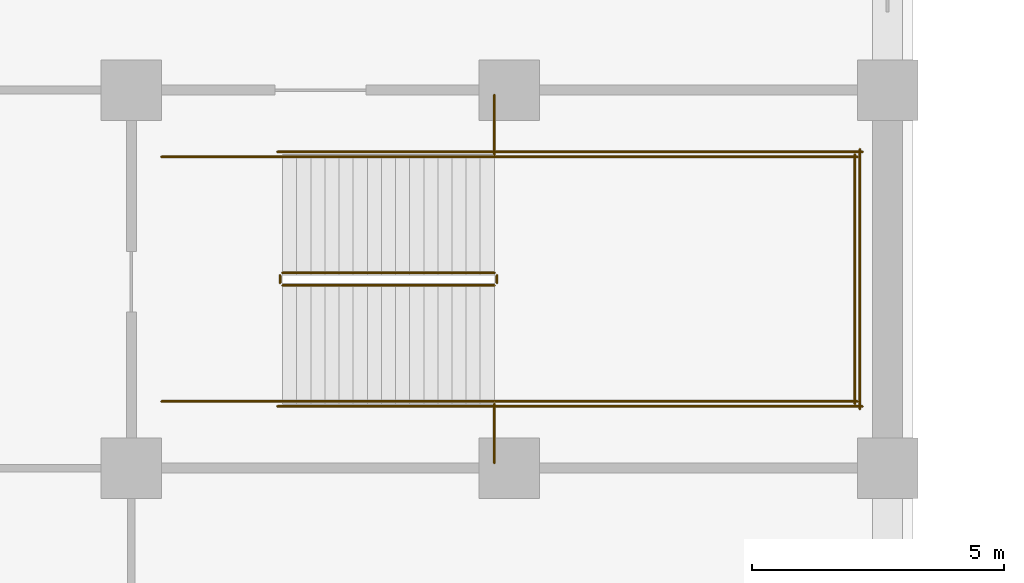
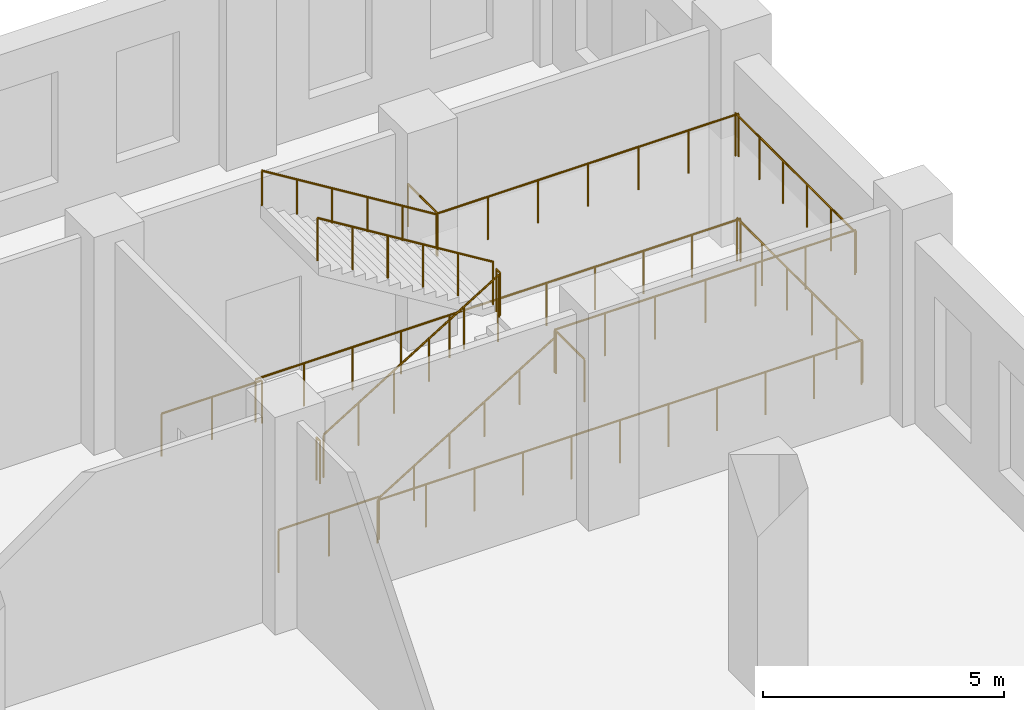
# One storey, part 29 of 35: 16 railings.
"""IFC4 building model written with IfcOpenShell, lengths in metres."""

import ifcopenshell
import ifcopenshell.guid

model = None  # the IFC model being written
_history = None  # IfcOwnerHistory: only IFC2X3 demands one
_inside = {}  # id of a spatial element -> (the spatial element, [elements in it])
_under = {}  # id of a project, library or spatial element -> (it, [spatial elements below it])
_declared = {}  # id of a project -> (the project, [libraries it declares])
_typed = {}  # id of a type object -> (the type object, [elements of that type])
_made_of = {}  # id of a material, layer set ... -> (it, [elements and type objects made of it])


def new_model(schema):
    """Start an empty IFC model of exactly this schema.

    Asked for "IFC4X3", IfcOpenShell would pick the latest addendum, in which some entities
    have other attributes; the version numbers below select the first issue.
    IFC2X3 requires an IfcOwnerHistory on every rooted entity: one is made here for all.
    """
    global model, _history
    if schema == "IFC4X3":
        model = ifcopenshell.file(schema_version=(4, 3, 0, 0))
    else:
        model = ifcopenshell.file(schema=schema)
    _inside.clear()
    _under.clear()
    _declared.clear()
    _typed.clear()
    _made_of.clear()
    _history = None
    if model.schema == "IFC2X3":
        org = make("IfcOrganization", Name="unknown")
        user = make(
            "IfcPersonAndOrganization",
            ThePerson=make("IfcPerson", FamilyName="unknown"),
            TheOrganization=org,
        )
        app = make(
            "IfcApplication",
            ApplicationDeveloper=org,
            Version="unknown",
            ApplicationFullName="unknown",
            ApplicationIdentifier="unknown",
        )
        _history = make(
            "IfcOwnerHistory",
            OwningUser=user,
            OwningApplication=app,
            ChangeAction="ADDED",
            CreationDate=0,
        )
    return model


def make(cls, **values):
    """One entity of the class cls with the attributes given. An attribute that is None is left unset."""
    return model.create_entity(
        cls, **{name: value for name, value in values.items() if value is not None}
    )


def rooted(cls, **values):
    """An entity with a GlobalId (a new one), such as an element, a storey or a relation."""
    return make(cls, GlobalId=ifcopenshell.guid.new(), OwnerHistory=_history, **values)


def si_unit(unit_type, name, prefix=None):
    """IfcSIUnit, for example si_unit("LENGTHUNIT", "METRE", prefix="MILLI")."""
    return make("IfcSIUnit", UnitType=unit_type, Prefix=prefix, Name=name)


def assignment(units):
    """IfcUnitAssignment: the units of a project."""
    return None if units is None else make("IfcUnitAssignment", Units=units)


def point(xyz):
    """IfcCartesianPoint."""
    return None if xyz is None else make("IfcCartesianPoint", Coordinates=xyz)


def direction(xyz):
    """IfcDirection."""
    return None if xyz is None else make("IfcDirection", DirectionRatios=xyz)


def frame(location, z_axis=None, x_axis=None):
    """IfcAxis2Placement3D, a coordinate frame: its origin and axes. An axis left out is left unset."""
    return make(
        "IfcAxis2Placement3D",
        Location=point(location),
        Axis=direction(z_axis),
        RefDirection=direction(x_axis),
    )


def frame_2d(location, x_axis=None):
    """IfcAxis2Placement2D, a coordinate frame in the plane: its origin and x axis."""
    return make(
        "IfcAxis2Placement2D", Location=point(location), RefDirection=direction(x_axis)
    )


def origin():
    """The frame at (0, 0, 0) with its axes left unset."""
    return frame((0.0, 0.0, 0.0))


def origin_2d():
    """The frame at (0, 0) in the plane with its x axis left unset."""
    return frame_2d((0.0, 0.0))


def place(relative_to, where):
    """IfcLocalPlacement: puts the frame where relative to a parent placement (None: the world)."""
    return make(
        "IfcLocalPlacement", PlacementRelTo=relative_to, RelativePlacement=where
    )


def context(
    kind, dimensions, precision=None, world=None, true_north=None, identifier=None
):
    """IfcGeometricRepresentationContext, for example the 3D "Model" context."""
    return make(
        "IfcGeometricRepresentationContext",
        ContextIdentifier=identifier,
        ContextType=kind,
        CoordinateSpaceDimension=dimensions,
        Precision=precision,
        WorldCoordinateSystem=world,
        TrueNorth=true_north,
    )


def subcontext(parent, identifier, kind, view, scale=None):
    """IfcGeometricRepresentationSubContext, for example "Body" below "Model"."""
    return make(
        "IfcGeometricRepresentationSubContext",
        ContextIdentifier=identifier,
        ContextType=kind,
        ParentContext=parent,
        TargetScale=scale,
        TargetView=view,
    )


def project(units=None, contexts=None):
    """IfcProject with its units and contexts."""
    return rooted(
        "IfcProject",
        Name="project",
        RepresentationContexts=contexts,
        UnitsInContext=assignment(units),
    )


def spatial(cls, under=None, at=None, **own):
    """A site, building, storey or space (cls), placed at a placement, below another one or the project."""
    s = rooted(cls, ObjectPlacement=at, **own)
    if under is not None:
        _under.setdefault(under.id(), (under, []))[1].append(s)
    return s


def profile(cls, at=None, kind="AREA", **sizes):
    """A parametric profile (cls). Its sizes go by their IFC names, for example OverallWidth=200.0."""
    return make(cls, ProfileType=kind, Position=at, **sizes)


def circle(**sizes):
    """IfcCircleProfileDef."""
    return profile("IfcCircleProfileDef", **sizes)


def extrude(swept, where, along, depth):
    """IfcExtrudedAreaSolid: the profile swept, set in the frame where, extruded along a direction by depth."""
    return make(
        "IfcExtrudedAreaSolid",
        SweptArea=swept,
        Position=where,
        ExtrudedDirection=direction(along),
        Depth=depth,
    )


def shape(context_of_items, identifier, shape_type, items):
    """IfcShapeRepresentation: the items that make up one representation, for example the "Body"."""
    return make(
        "IfcShapeRepresentation",
        ContextOfItems=context_of_items,
        RepresentationIdentifier=identifier,
        RepresentationType=shape_type,
        Items=items,
    )


def material(Name=None, Category=None):
    """IfcMaterial."""
    return make("IfcMaterial", Name=Name, Category=Category)


def made_of(thing, what):
    """Note that an element or type object is made of a material, layer set ...; save() writes the relation."""
    if what is not None:
        _made_of.setdefault(what.id(), (what, []))[1].append(thing)
    return thing


def type_object(cls, material=None, **own):
    """A type object (cls), such as IfcWallType, which elements share."""
    return made_of(rooted(cls, **own), material)


def element(
    cls,
    number,
    at=None,
    inside=None,
    cuts=None,
    type_object=None,
    material=None,
    context=None,
    identifier="Body",
    shape_type=None,
    held_by="IfcProductDefinitionShape",
    body=None,
    shapes=None,
    **own,
):
    """One element of the class cls, such as IfcWall. Its Tag is "e" and its number.

    at: its placement. inside: the storey or other place that contains it. cuts: it is an
    opening in that element (IfcRelVoidsElement). A single representation is given by context,
    identifier, shape_type and body (its items); several are given by shapes. held_by: the class
    of the entity that holds the representations. save() writes the other relations.
    """
    e = rooted(cls, Tag="e%d" % number, ObjectPlacement=at, **own)
    if body is not None:
        shapes = [shape(context, identifier, shape_type, body)]
    if shapes is not None:
        e.Representation = make(held_by, Representations=shapes)
    if inside is not None:
        _inside.setdefault(inside.id(), (inside, []))[1].append(e)
    if cuts is not None:
        rooted(
            "IfcRelVoidsElement", RelatingBuildingElement=cuts, RelatedOpeningElement=e
        )
    if type_object is not None:
        _typed.setdefault(type_object.id(), (type_object, []))[1].append(e)
    return made_of(e, material)


def aggregate(whole, parts):
    """IfcRelAggregates: a whole, such as a stair, and the parts it consists of."""
    return rooted("IfcRelAggregates", RelatingObject=whole, RelatedObjects=parts)


def save(model, path):
    """Write the relations noted so far, then the file.

    IfcRelAggregates (storeys below a building ...), IfcRelContainedInSpatialStructure (elements
    in a storey), IfcRelDefinesByType, IfcRelAssociatesMaterial and IfcRelDeclares: one each for
    every whole, place, type object, material and project.
    """
    for whole, parts in _under.values():
        aggregate(whole, parts)
    for where, things in _inside.values():
        rooted(
            "IfcRelContainedInSpatialStructure",
            RelatedElements=things,
            RelatingStructure=where,
        )
    for kind, things in _typed.values():
        rooted("IfcRelDefinesByType", RelatedObjects=things, RelatingType=kind)
    for what, things in _made_of.values():
        rooted("IfcRelAssociatesMaterial", RelatedObjects=things, RelatingMaterial=what)
    for by, libraries in _declared.values():
        rooted("IfcRelDeclares", RelatingContext=by, RelatedDefinitions=libraries)
    model.write(path)


model = new_model("IFC4")

# Units and contexts
model_context = context("Model", 3, precision=1e-05, world=origin(), true_north=direction((0.0, 1.0)))
body_context = subcontext(model_context, "Body", "Model", "MODEL_VIEW")
ifc_project = project(units=[si_unit("LENGTHUNIT", "METRE"), si_unit("AREAUNIT", "SQUARE_METRE"), si_unit("VOLUMEUNIT", "CUBIC_METRE"), si_unit("PLANEANGLEUNIT", "RADIAN"), si_unit("MASSUNIT", "GRAM", prefix="KILO")], contexts=[model_context])

# Site, building, storey
site_placement = place(None, origin())
site = spatial("IfcSite", under=ifc_project, at=site_placement, CompositionType="ELEMENT")
building_placement = place(site_placement, origin())
building = spatial("IfcBuilding", under=site, at=building_placement, Name="Tamorin Gate", CompositionType="ELEMENT")
storey_placement = place(building_placement, frame((0.0, 0.0, 8.0)))
storey = spatial("IfcBuildingStorey", under=building, at=storey_placement, Name="L01", CompositionType="ELEMENT", Elevation=8.0)

# Railings
ifc_material = material(Name="Steel", Category="steel")
railing_type_1 = type_object("IfcRailingType", Name="Podium guard 1100", PredefinedType="GUARDRAIL", material=ifc_material)
railing_1_placement = place(storey_placement, frame((100.0, 100.625, 0.171875)))
element("IfcRailing", 1, at=railing_1_placement, inside=storey, type_object=railing_type_1, Name="L01 PS4 stair guard 1", PredefinedType="GUARDRAIL", context=body_context, shape_type="SweptSolid", body=[
    extrude(circle(Radius=0.02392578125, at=origin_2d()), frame((0.0, 0.0, 1.076171875), z_axis=(0.852242915053, 0.0, 0.523146264196), x_axis=(0.0, 1.0, 0.0)), (0.0, 0.0, 1.0), 4.92822265625),
    extrude(circle(Radius=0.02099609375, at=origin_2d()), origin(), (0.0, 0.0, 1.0), 1.052001953125),
    extrude(circle(Radius=0.02099609375, at=origin_2d()), frame((0.840087890625, 0.0, 0.515625)), (0.0, 0.0, 1.0), 1.052001953125),
    extrude(circle(Radius=0.02099609375, at=origin_2d()), frame((1.679931640625, 0.0, 1.03125)), (0.0, 0.0, 1.0), 1.052001953125),
    extrude(circle(Radius=0.02099609375, at=origin_2d()), frame((2.52001953125, 0.0, 1.546875)), (0.0, 0.0, 1.0), 1.052001953125),
    extrude(circle(Radius=0.02099609375, at=origin_2d()), frame((3.35986328125, 0.0, 2.0625)), (0.0, 0.0, 1.0), 1.052001953125),
    extrude(circle(Radius=0.02099609375, at=origin_2d()), frame((4.199951171875, 0.0, 2.578125)), (0.0, 0.0, 1.0), 1.052001953125),
])
railing_2_placement = place(storey_placement, frame((104.25, 100.675048828125, 2.75)))
element("IfcRailing", 2, at=railing_2_placement, inside=storey, type_object=railing_type_1, Name="L01 PS4 stair guard 2", PredefinedType="GUARDRAIL", context=body_context, shape_type="SweptSolid", body=[
    extrude(circle(Radius=0.02392578125, at=origin_2d()), frame((0.0, 0.0, 1.076171875), z_axis=(0.0, 1.0, 0.0), x_axis=(-1.0, 0.0, 0.0)), (0.0, 0.0, 1.0), 0.14990234375),
    extrude(circle(Radius=0.02099609375, at=origin_2d()), origin(), (0.0, 0.0, 1.0), 1.052001953125),
    extrude(circle(Radius=0.02099609375, at=origin_2d()), frame((0.0, 0.14990234375, 0.0)), (0.0, 0.0, 1.0), 1.052001953125),
])
for number, where, name in (
    (3, (104.199951171875, 98.324951171875, 2.75), "L01 PS4 stair guard 3"),
    (4, (104.199951171875, 103.175048828125, 2.75), "L01 PS4 stair guard 4"),
):
    element("IfcRailing", number, at=place(storey_placement, frame(where)), inside=storey, type_object=railing_type_1, Name=name, PredefinedType="GUARDRAIL", context=body_context, shape_type="SweptSolid", body=[
        extrude(circle(Radius=0.02392578125, at=origin_2d()), frame((0.0, 0.0, 1.076171875), z_axis=(1.0, 0.0, 0.0), x_axis=(0.0, 1.0, 0.0)), (0.0, 0.0, 1.0), 7.199951171875),
        extrude(circle(Radius=0.02099609375, at=origin_2d()), origin(), (0.0, 0.0, 1.0), 1.052001953125),
        extrude(circle(Radius=0.02099609375, at=origin_2d()), frame((1.199951171875, 0.0, 0.0)), (0.0, 0.0, 1.0), 1.052001953125),
        extrude(circle(Radius=0.02099609375, at=origin_2d()), frame((2.39990234375, 0.0, 0.0)), (0.0, 0.0, 1.0), 1.052001953125),
        extrude(circle(Radius=0.02099609375, at=origin_2d()), frame((3.60009765625, 0.0, 0.0)), (0.0, 0.0, 1.0), 1.052001953125),
        extrude(circle(Radius=0.02099609375, at=origin_2d()), frame((4.800048828125, 0.0, 0.0)), (0.0, 0.0, 1.0), 1.052001953125),
        extrude(circle(Radius=0.02099609375, at=origin_2d()), frame((6.0, 0.0, 0.0)), (0.0, 0.0, 1.0), 1.052001953125),
        extrude(circle(Radius=0.02099609375, at=origin_2d()), frame((7.199951171875, 0.0, 0.0)), (0.0, 0.0, 1.0), 1.052001953125),
    ])
railing_3_placement = place(storey_placement, frame((111.35009765625, 98.27490234375, 2.75)))
element("IfcRailing", 5, at=railing_3_placement, inside=storey, type_object=railing_type_1, Name="L01 PS4 stair guard 5", PredefinedType="GUARDRAIL", context=body_context, shape_type="SweptSolid", body=[
    extrude(circle(Radius=0.02392578125, at=origin_2d()), frame((0.0, 0.0, 1.076171875), z_axis=(0.0, 1.0, 0.0), x_axis=(-1.0, 0.0, 0.0)), (0.0, 0.0, 1.0), 4.9501953125),
    extrude(circle(Radius=0.02099609375, at=origin_2d()), origin(), (0.0, 0.0, 1.0), 1.052001953125),
    extrude(circle(Radius=0.02099609375, at=origin_2d()), frame((0.0, 0.989990234375, 0.0)), (0.0, 0.0, 1.0), 1.052001953125),
    extrude(circle(Radius=0.02099609375, at=origin_2d()), frame((0.0, 1.97998046875, 0.0)), (0.0, 0.0, 1.0), 1.052001953125),
    extrude(circle(Radius=0.02099609375, at=origin_2d()), frame((0.0, 2.97021484375, 0.0)), (0.0, 0.0, 1.0), 1.052001953125),
    extrude(circle(Radius=0.02099609375, at=origin_2d()), frame((0.0, 3.960205078125, 0.0)), (0.0, 0.0, 1.0), 1.052001953125),
    extrude(circle(Radius=0.02099609375, at=origin_2d()), frame((0.0, 4.9501953125, 0.0)), (0.0, 0.0, 1.0), 1.052001953125),
])
railing_4_placement = place(storey_placement, frame((104.199951171875, 100.875, 2.921875)))
element("IfcRailing", 6, at=railing_4_placement, inside=storey, type_object=railing_type_1, Name="L01 PS4 stair guard 6", PredefinedType="GUARDRAIL", context=body_context, shape_type="SweptSolid", body=[
    extrude(circle(Radius=0.02392578125, at=origin_2d()), frame((0.0, 0.0, 1.076171875), z_axis=(-0.852242915053, 0.0, 0.523146264196), x_axis=(0.0, -1.0, 0.0)), (0.0, 0.0, 1.0), 4.92822265625),
    extrude(circle(Radius=0.02099609375, at=origin_2d()), origin(), (0.0, 0.0, 1.0), 1.052001953125),
    extrude(circle(Radius=0.02099609375, at=origin_2d()), frame((-0.840087890625, 0.0, 0.515625)), (0.0, 0.0, 1.0), 1.052001953125),
    extrude(circle(Radius=0.02099609375, at=origin_2d()), frame((-1.679931640625, 0.0, 1.03125)), (0.0, 0.0, 1.0), 1.052001953125),
    extrude(circle(Radius=0.02099609375, at=origin_2d()), frame((-2.52001953125, 0.0, 1.546875)), (0.0, 0.0, 1.0), 1.052001953125),
    extrude(circle(Radius=0.02099609375, at=origin_2d()), frame((-3.35986328125, 0.0, 2.0625)), (0.0, 0.0, 1.0), 1.052001953125),
    extrude(circle(Radius=0.02099609375, at=origin_2d()), frame((-4.199951171875, 0.0, 2.578125)), (0.0, 0.0, 1.0), 1.052001953125),
])
railing_5_placement = place(storey_placement, frame((99.949951171875, 100.675048828125, 0.0)))
element("IfcRailing", 7, at=railing_5_placement, inside=storey, type_object=railing_type_1, Name="L01 PS4 stair guard 7", PredefinedType="GUARDRAIL", context=body_context, shape_type="SweptSolid", body=[
    extrude(circle(Radius=0.02392578125, at=origin_2d()), frame((0.0, 0.0, 1.076171875), z_axis=(0.0, 1.0, 0.0), x_axis=(-1.0, 0.0, 0.0)), (0.0, 0.0, 1.0), 0.14990234375),
    extrude(circle(Radius=0.02099609375, at=origin_2d()), origin(), (0.0, 0.0, 1.0), 1.052001953125),
    extrude(circle(Radius=0.02099609375, at=origin_2d()), frame((0.0, 0.14990234375, 0.0)), (0.0, 0.0, 1.0), 1.052001953125),
])
for number, where, name in (
    (8, (97.60009765625, 98.324951171875, 0.0), "L01 PS4 stair guard 8"),
    (9, (97.60009765625, 103.175048828125, 0.0), "L01 PS4 stair guard 9"),
):
    element("IfcRailing", number, at=place(storey_placement, frame(where)), inside=storey, type_object=railing_type_1, Name=name, PredefinedType="GUARDRAIL", context=body_context, shape_type="SweptSolid", body=[
        extrude(circle(Radius=0.02392578125, at=origin_2d()), frame((0.0, 0.0, 1.076171875), z_axis=(1.0, 0.0, 0.0), x_axis=(0.0, 1.0, 0.0)), (0.0, 0.0, 1.0), 2.39990234375),
        extrude(circle(Radius=0.02099609375, at=origin_2d()), origin(), (0.0, 0.0, 1.0), 1.052001953125),
        extrude(circle(Radius=0.02099609375, at=origin_2d()), frame((1.199951171875, 0.0, 0.0)), (0.0, 0.0, 1.0), 1.052001953125),
        extrude(circle(Radius=0.02099609375, at=origin_2d()), frame((2.39990234375, 0.0, 0.0)), (0.0, 0.0, 1.0), 1.052001953125),
    ])
for number, where, name in (
    (10, (99.89990234375, 98.22509765625, 0.0), "L01 PS4 stair guard 10"),
    (11, (99.89990234375, 103.27490234375, 0.0), "L01 PS4 stair guard 11"),
):
    element("IfcRailing", number, at=place(storey_placement, frame(where)), inside=storey, type_object=railing_type_1, Name=name, PredefinedType="GUARDRAIL", context=body_context, shape_type="SweptSolid", body=[
        extrude(circle(Radius=0.02392578125, at=origin_2d()), frame((0.0, 0.0, 1.076171875), z_axis=(1.0, 0.0, 0.0), x_axis=(0.0, 1.0, 0.0)), (0.0, 0.0, 1.0), 11.60009765625),
        extrude(circle(Radius=0.02099609375, at=origin_2d()), origin(), (0.0, 0.0, 1.0), 1.052001953125),
        extrude(circle(Radius=0.02099609375, at=origin_2d()), frame((1.159912109375, 0.0, 0.0)), (0.0, 0.0, 1.0), 1.052001953125),
        extrude(circle(Radius=0.02099609375, at=origin_2d()), frame((2.320068359375, 0.0, 0.0)), (0.0, 0.0, 1.0), 1.052001953125),
        extrude(circle(Radius=0.02099609375, at=origin_2d()), frame((3.47998046875, 0.0, 0.0)), (0.0, 0.0, 1.0), 1.052001953125),
        extrude(circle(Radius=0.02099609375, at=origin_2d()), frame((4.64013671875, 0.0, 0.0)), (0.0, 0.0, 1.0), 1.052001953125),
        extrude(circle(Radius=0.02099609375, at=origin_2d()), frame((5.800048828125, 0.0, 0.0)), (0.0, 0.0, 1.0), 1.052001953125),
        extrude(circle(Radius=0.02099609375, at=origin_2d()), frame((6.9599609375, 0.0, 0.0)), (0.0, 0.0, 1.0), 1.052001953125),
        extrude(circle(Radius=0.02099609375, at=origin_2d()), frame((8.1201171875, 0.0, 0.0)), (0.0, 0.0, 1.0), 1.052001953125),
        extrude(circle(Radius=0.02099609375, at=origin_2d()), frame((9.280029296875, 0.0, 0.0)), (0.0, 0.0, 1.0), 1.052001953125),
        extrude(circle(Radius=0.02099609375, at=origin_2d()), frame((10.440185546875, 0.0, 0.0)), (0.0, 0.0, 1.0), 1.052001953125),
        extrude(circle(Radius=0.02099609375, at=origin_2d()), frame((11.60009765625, 0.0, 0.0)), (0.0, 0.0, 1.0), 1.052001953125),
    ])
railing_6_placement = place(storey_placement, frame((111.449951171875, 98.175048828125, 0.0)))
element("IfcRailing", 12, at=railing_6_placement, inside=storey, type_object=railing_type_1, Name="L01 PS4 stair guard 12", PredefinedType="GUARDRAIL", context=body_context, shape_type="SweptSolid", body=[
    extrude(circle(Radius=0.02392578125, at=origin_2d()), frame((0.0, 0.0, 1.076171875), z_axis=(0.0, 1.0, 0.0), x_axis=(-1.0, 0.0, 0.0)), (0.0, 0.0, 1.0), 5.14990234375),
    extrude(circle(Radius=0.02099609375, at=origin_2d()), origin(), (0.0, 0.0, 1.0), 1.052001953125),
    extrude(circle(Radius=0.02099609375, at=origin_2d()), frame((0.0, 1.030029296875, 0.0)), (0.0, 0.0, 1.0), 1.052001953125),
    extrude(circle(Radius=0.02099609375, at=origin_2d()), frame((0.0, 2.06005859375, 0.0)), (0.0, 0.0, 1.0), 1.052001953125),
    extrude(circle(Radius=0.02099609375, at=origin_2d()), frame((0.0, 3.08984375, 0.0)), (0.0, 0.0, 1.0), 1.052001953125),
    extrude(circle(Radius=0.02099609375, at=origin_2d()), frame((0.0, 4.119873046875, 0.0)), (0.0, 0.0, 1.0), 1.052001953125),
    extrude(circle(Radius=0.02099609375, at=origin_2d()), frame((0.0, 5.14990234375, 0.0)), (0.0, 0.0, 1.0), 1.052001953125),
])
for number, where, name in (
    (13, (104.199951171875, 97.10009765625, 2.75), "Landing edge guard"),
    (14, (104.199951171875, 103.22509765625, 2.75), "Landing edge guard"),
):
    element("IfcRailing", number, at=place(storey_placement, frame(where)), inside=storey, type_object=railing_type_1, Name=name, PredefinedType="GUARDRAIL", context=body_context, shape_type="SweptSolid", body=[
        extrude(circle(Radius=0.02392578125, at=origin_2d()), frame((0.0, 0.0, 1.076171875), z_axis=(0.0, 1.0, 0.0), x_axis=(-1.0, 0.0, 0.0)), (0.0, 0.0, 1.0), 1.1748046875),
        extrude(circle(Radius=0.02099609375, at=origin_2d()), origin(), (0.0, 0.0, 1.0), 1.052001953125),
        extrude(circle(Radius=0.02099609375, at=origin_2d()), frame((0.0, 1.1748046875, 0.0)), (0.0, 0.0, 1.0), 1.052001953125),
    ])
railing_type_2 = type_object("IfcRailingType", Name="Podium stair handrail 900", PredefinedType="HANDRAIL", material=ifc_material)
railing_7_placement = place(storey_placement, frame((100.0, 98.324951171875, 0.171875)))
element("IfcRailing", 15, at=railing_7_placement, inside=storey, type_object=railing_type_2, Name="L01 PS4 stair handrail 1", PredefinedType="HANDRAIL", context=body_context, shape_type="SweptSolid", body=[
    extrude(circle(Radius=0.02392578125, at=origin_2d()), frame((0.0, 0.0, 0.8759765625), z_axis=(0.852242915053, 0.0, 0.523146264196), x_axis=(0.0, 1.0, 0.0)), (0.0, 0.0, 1.0), 4.92822265625),
    extrude(circle(Radius=0.02099609375, at=origin_2d()), origin(), (0.0, 0.0, 1.0), 0.851806640625),
    extrude(circle(Radius=0.02099609375, at=origin_2d()), frame((0.840087890625, 0.0, 0.515625)), (0.0, 0.0, 1.0), 0.851806640625),
    extrude(circle(Radius=0.02099609375, at=origin_2d()), frame((1.679931640625, 0.0, 1.03125)), (0.0, 0.0, 1.0), 0.851806640625),
    extrude(circle(Radius=0.02099609375, at=origin_2d()), frame((2.52001953125, 0.0, 1.546875)), (0.0, 0.0, 1.0), 0.851806640625),
    extrude(circle(Radius=0.02099609375, at=origin_2d()), frame((3.35986328125, 0.0, 2.0625)), (0.0, 0.0, 1.0), 0.851806640625),
    extrude(circle(Radius=0.02099609375, at=origin_2d()), frame((4.199951171875, 0.0, 2.578125)), (0.0, 0.0, 1.0), 0.851806640625),
])
railing_8_placement = place(storey_placement, frame((104.199951171875, 103.175048828125, 2.921875)))
element("IfcRailing", 16, at=railing_8_placement, inside=storey, type_object=railing_type_2, Name="L01 PS4 stair handrail 2", PredefinedType="HANDRAIL", context=body_context, shape_type="SweptSolid", body=[
    extrude(circle(Radius=0.02392578125, at=origin_2d()), frame((0.0, 0.0, 0.8759765625), z_axis=(-0.852242915053, 0.0, 0.523146264196), x_axis=(0.0, -1.0, 0.0)), (0.0, 0.0, 1.0), 4.92822265625),
    extrude(circle(Radius=0.02099609375, at=origin_2d()), origin(), (0.0, 0.0, 1.0), 0.851806640625),
    extrude(circle(Radius=0.02099609375, at=origin_2d()), frame((-0.840087890625, 0.0, 0.515625)), (0.0, 0.0, 1.0), 0.851806640625),
    extrude(circle(Radius=0.02099609375, at=origin_2d()), frame((-1.679931640625, 0.0, 1.03125)), (0.0, 0.0, 1.0), 0.851806640625),
    extrude(circle(Radius=0.02099609375, at=origin_2d()), frame((-2.52001953125, 0.0, 1.546875)), (0.0, 0.0, 1.0), 0.851806640625),
    extrude(circle(Radius=0.02099609375, at=origin_2d()), frame((-3.35986328125, 0.0, 2.0625)), (0.0, 0.0, 1.0), 0.851806640625),
    extrude(circle(Radius=0.02099609375, at=origin_2d()), frame((-4.199951171875, 0.0, 2.578125)), (0.0, 0.0, 1.0), 0.851806640625),
])

save(model, "model.ifc")
